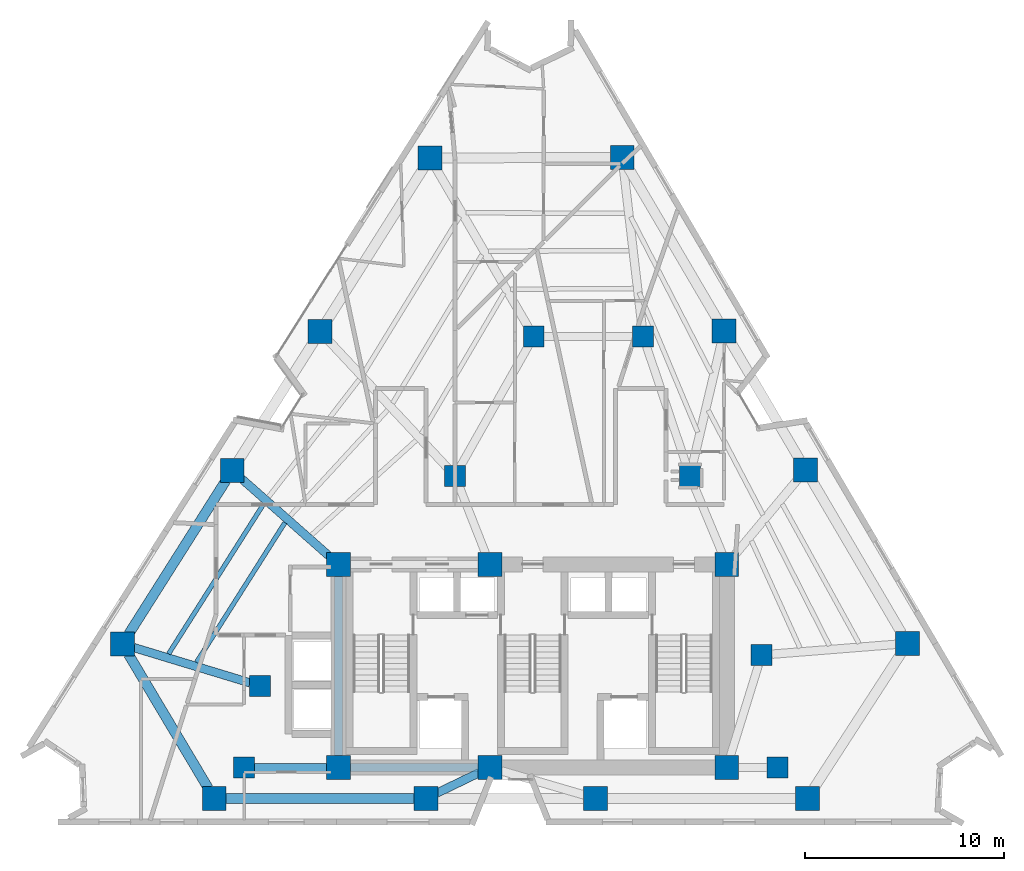
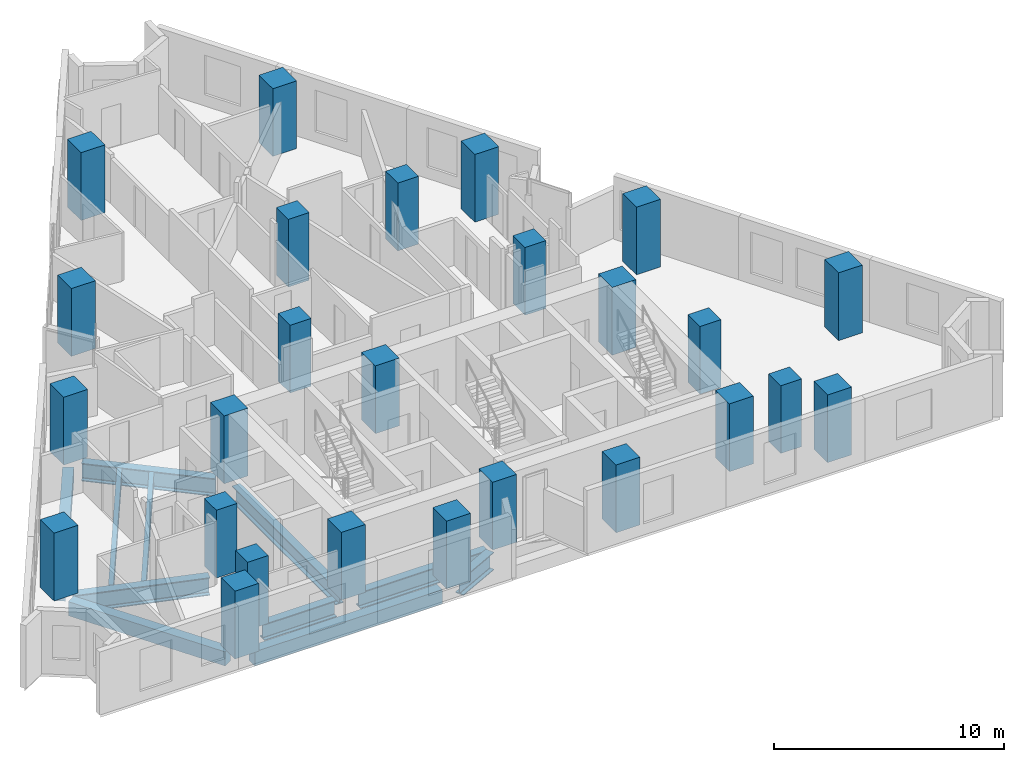
# One storey, part 1 of 12: 26 columns, 11 beams.
"""IFC4 building model written with IfcOpenShell, lengths in metres."""

import ifcopenshell
import ifcopenshell.guid

model = None  # the IFC model being written
_history = None  # IfcOwnerHistory: only IFC2X3 demands one
_inside = {}  # id of a spatial element -> (the spatial element, [elements in it])
_under = {}  # id of a project, library or spatial element -> (it, [spatial elements below it])
_declared = {}  # id of a project -> (the project, [libraries it declares])
_typed = {}  # id of a type object -> (the type object, [elements of that type])
_made_of = {}  # id of a material, layer set ... -> (it, [elements and type objects made of it])


def new_model(schema):
    """Start an empty IFC model of exactly this schema.

    Asked for "IFC4X3", IfcOpenShell would pick the latest addendum, in which some entities
    have other attributes; the version numbers below select the first issue.
    IFC2X3 requires an IfcOwnerHistory on every rooted entity: one is made here for all.
    """
    global model, _history
    if schema == "IFC4X3":
        model = ifcopenshell.file(schema_version=(4, 3, 0, 0))
    else:
        model = ifcopenshell.file(schema=schema)
    _inside.clear()
    _under.clear()
    _declared.clear()
    _typed.clear()
    _made_of.clear()
    _history = None
    if model.schema == "IFC2X3":
        org = make("IfcOrganization", Name="unknown")
        user = make(
            "IfcPersonAndOrganization",
            ThePerson=make("IfcPerson", FamilyName="unknown"),
            TheOrganization=org,
        )
        app = make(
            "IfcApplication",
            ApplicationDeveloper=org,
            Version="unknown",
            ApplicationFullName="unknown",
            ApplicationIdentifier="unknown",
        )
        _history = make(
            "IfcOwnerHistory",
            OwningUser=user,
            OwningApplication=app,
            ChangeAction="ADDED",
            CreationDate=0,
        )
    return model


def make(cls, **values):
    """One entity of the class cls with the attributes given. An attribute that is None is left unset."""
    return model.create_entity(
        cls, **{name: value for name, value in values.items() if value is not None}
    )


def rooted(cls, **values):
    """An entity with a GlobalId (a new one), such as an element, a storey or a relation."""
    return make(cls, GlobalId=ifcopenshell.guid.new(), OwnerHistory=_history, **values)


def si_unit(unit_type, name, prefix=None):
    """IfcSIUnit, for example si_unit("LENGTHUNIT", "METRE", prefix="MILLI")."""
    return make("IfcSIUnit", UnitType=unit_type, Prefix=prefix, Name=name)


def assignment(units):
    """IfcUnitAssignment: the units of a project."""
    return None if units is None else make("IfcUnitAssignment", Units=units)


def point(xyz):
    """IfcCartesianPoint."""
    return None if xyz is None else make("IfcCartesianPoint", Coordinates=xyz)


def direction(xyz):
    """IfcDirection."""
    return None if xyz is None else make("IfcDirection", DirectionRatios=xyz)


def frame(location, z_axis=None, x_axis=None):
    """IfcAxis2Placement3D, a coordinate frame: its origin and axes. An axis left out is left unset."""
    return make(
        "IfcAxis2Placement3D",
        Location=point(location),
        Axis=direction(z_axis),
        RefDirection=direction(x_axis),
    )


def frame_2d(location, x_axis=None):
    """IfcAxis2Placement2D, a coordinate frame in the plane: its origin and x axis."""
    return make(
        "IfcAxis2Placement2D", Location=point(location), RefDirection=direction(x_axis)
    )


def origin():
    """The frame at (0, 0, 0) with its axes left unset."""
    return frame((0.0, 0.0, 0.0))


def origin_2d():
    """The frame at (0, 0) in the plane with its x axis left unset."""
    return frame_2d((0.0, 0.0))


def place(relative_to, where):
    """IfcLocalPlacement: puts the frame where relative to a parent placement (None: the world)."""
    return make(
        "IfcLocalPlacement", PlacementRelTo=relative_to, RelativePlacement=where
    )


def context(
    kind, dimensions, precision=None, world=None, true_north=None, identifier=None
):
    """IfcGeometricRepresentationContext, for example the 3D "Model" context."""
    return make(
        "IfcGeometricRepresentationContext",
        ContextIdentifier=identifier,
        ContextType=kind,
        CoordinateSpaceDimension=dimensions,
        Precision=precision,
        WorldCoordinateSystem=world,
        TrueNorth=true_north,
    )


def subcontext(parent, identifier, kind, view, scale=None):
    """IfcGeometricRepresentationSubContext, for example "Body" below "Model"."""
    return make(
        "IfcGeometricRepresentationSubContext",
        ContextIdentifier=identifier,
        ContextType=kind,
        ParentContext=parent,
        TargetScale=scale,
        TargetView=view,
    )


def project(units=None, contexts=None):
    """IfcProject with its units and contexts."""
    return rooted(
        "IfcProject",
        Name="project",
        RepresentationContexts=contexts,
        UnitsInContext=assignment(units),
    )


def spatial(cls, under=None, at=None, **own):
    """A site, building, storey or space (cls), placed at a placement, below another one or the project."""
    s = rooted(cls, ObjectPlacement=at, **own)
    if under is not None:
        _under.setdefault(under.id(), (under, []))[1].append(s)
    return s


def profile(cls, at=None, kind="AREA", **sizes):
    """A parametric profile (cls). Its sizes go by their IFC names, for example OverallWidth=200.0."""
    return make(cls, ProfileType=kind, Position=at, **sizes)


def rectangle(**sizes):
    """IfcRectangleProfileDef."""
    return profile("IfcRectangleProfileDef", **sizes)


def i_section(**sizes):
    """IfcIShapeProfileDef."""
    return profile("IfcIShapeProfileDef", **sizes)


def extrude(swept, where, along, depth):
    """IfcExtrudedAreaSolid: the profile swept, set in the frame where, extruded along a direction by depth."""
    return make(
        "IfcExtrudedAreaSolid",
        SweptArea=swept,
        Position=where,
        ExtrudedDirection=direction(along),
        Depth=depth,
    )


def shape(context_of_items, identifier, shape_type, items):
    """IfcShapeRepresentation: the items that make up one representation, for example the "Body"."""
    return make(
        "IfcShapeRepresentation",
        ContextOfItems=context_of_items,
        RepresentationIdentifier=identifier,
        RepresentationType=shape_type,
        Items=items,
    )


def material(Name=None, Category=None):
    """IfcMaterial."""
    return make("IfcMaterial", Name=Name, Category=Category)


def material_profile(
    of_material, cross_section, Name=None, Category=None, Priority=None
):
    """IfcMaterialProfile: a cross section and its material."""
    return make(
        "IfcMaterialProfile",
        Name=Name,
        Material=of_material,
        Profile=cross_section,
        Priority=Priority,
        Category=Category,
    )


def profile_set(profiles, Name=None, composite=None):
    """IfcMaterialProfileSet."""
    return make(
        "IfcMaterialProfileSet",
        Name=Name,
        MaterialProfiles=profiles,
        CompositeProfile=composite,
    )


def made_of(thing, what):
    """Note that an element or type object is made of a material, layer set ...; save() writes the relation."""
    if what is not None:
        _made_of.setdefault(what.id(), (what, []))[1].append(thing)
    return thing


def type_object(cls, material=None, **own):
    """A type object (cls), such as IfcWallType, which elements share."""
    return made_of(rooted(cls, **own), material)


def element(
    cls,
    number,
    at=None,
    inside=None,
    cuts=None,
    type_object=None,
    material=None,
    context=None,
    identifier="Body",
    shape_type=None,
    held_by="IfcProductDefinitionShape",
    body=None,
    shapes=None,
    **own,
):
    """One element of the class cls, such as IfcWall. Its Tag is "e" and its number.

    at: its placement. inside: the storey or other place that contains it. cuts: it is an
    opening in that element (IfcRelVoidsElement). A single representation is given by context,
    identifier, shape_type and body (its items); several are given by shapes. held_by: the class
    of the entity that holds the representations. save() writes the other relations.
    """
    e = rooted(cls, Tag="e%d" % number, ObjectPlacement=at, **own)
    if body is not None:
        shapes = [shape(context, identifier, shape_type, body)]
    if shapes is not None:
        e.Representation = make(held_by, Representations=shapes)
    if inside is not None:
        _inside.setdefault(inside.id(), (inside, []))[1].append(e)
    if cuts is not None:
        rooted(
            "IfcRelVoidsElement", RelatingBuildingElement=cuts, RelatedOpeningElement=e
        )
    if type_object is not None:
        _typed.setdefault(type_object.id(), (type_object, []))[1].append(e)
    return made_of(e, material)


def aggregate(whole, parts):
    """IfcRelAggregates: a whole, such as a stair, and the parts it consists of."""
    return rooted("IfcRelAggregates", RelatingObject=whole, RelatedObjects=parts)


def save(model, path):
    """Write the relations noted so far, then the file.

    IfcRelAggregates (storeys below a building ...), IfcRelContainedInSpatialStructure (elements
    in a storey), IfcRelDefinesByType, IfcRelAssociatesMaterial and IfcRelDeclares: one each for
    every whole, place, type object, material and project.
    """
    for whole, parts in _under.values():
        aggregate(whole, parts)
    for where, things in _inside.values():
        rooted(
            "IfcRelContainedInSpatialStructure",
            RelatedElements=things,
            RelatingStructure=where,
        )
    for kind, things in _typed.values():
        rooted("IfcRelDefinesByType", RelatedObjects=things, RelatingType=kind)
    for what, things in _made_of.values():
        rooted("IfcRelAssociatesMaterial", RelatedObjects=things, RelatingMaterial=what)
    for by, libraries in _declared.values():
        rooted("IfcRelDeclares", RelatingContext=by, RelatedDefinitions=libraries)
    model.write(path)


model = new_model("IFC4")

# Units and contexts
model_context = context("Model", 3, precision=1e-05, world=origin(), true_north=direction((0.0, 1.0)))
body_context = subcontext(model_context, "Body", "Model", "MODEL_VIEW")
ifc_project = project(units=[si_unit("LENGTHUNIT", "METRE"), si_unit("AREAUNIT", "SQUARE_METRE"), si_unit("VOLUMEUNIT", "CUBIC_METRE"), si_unit("PLANEANGLEUNIT", "RADIAN"), si_unit("MASSUNIT", "GRAM", prefix="KILO")], contexts=[model_context])

# Site, building, storey
site_placement = place(None, origin())
site = spatial("IfcSite", under=ifc_project, at=site_placement, CompositionType="ELEMENT")
building_placement = place(site_placement, origin())
building = spatial("IfcBuilding", under=site, at=building_placement, Name="Almagre Mirador Tower", CompositionType="ELEMENT")
storey_placement = place(building_placement, frame((0.0, 0.0, 117.60009765625)))
storey = spatial("IfcBuildingStorey", under=building, at=storey_placement, Name="L29", CompositionType="ELEMENT", Elevation=117.60009765625)

# Columns
ifc_material_1 = material(Name="Concrete C60/75", Category="concrete")
ifc_material_profile_1 = material_profile(ifc_material_1, rectangle(XDim=1.050048828125, YDim=1.050048828125, at=origin_2d()), Name="RC1050X1050")
ifc_profile_set_1 = profile_set([ifc_material_profile_1], Name="Concrete C60/75")
column_type_1 = type_object("IfcColumnType", Name="COL-RC1050", PredefinedType="COLUMN", material=ifc_profile_set_1)
for number, where, z_axis, x_axis, name in (
    (1, (22.800048828125, 4.550048828125, 0.0), (0.0, 0.0, 1.0), (1.0, 0.0, 0.0), "L29 interior transfer column MC1"),
    (2, (49.60009765625, 4.550048828125, 0.0), (0.0, 0.0, 1.0), (1.0, 0.0, 0.0), "L29 interior transfer column MC2"),
    (3, (48.800048828125, 10.199951171875, 0.0), (0.0, 0.0, 1.0), (1.0, 0.0, 0.0), "L29 interior transfer column MC3"),
    (4, (45.199951171875, 19.199951171875, 0.0), (0.0, 0.0, 1.0), (1.0, 0.0, 0.0), "L29 interior transfer column MC5"),
    (5, (42.85009765625, 26.199951171875, 0.0), (0.0, 0.0, 1.0), (1.0, 0.0, 0.0), "L29 interior transfer column MC6"),
    (6, (37.35009765625, 26.199951171875, 0.0), (0.0, 0.0, 1.0), (1.0, 0.0, 0.0), "L29 interior transfer column MC7"),
    (7, (33.39990234375, 19.199951171875, 0.0), (0.0, 0.0, 1.0), (1.0, 0.0, 0.0), "L29 interior transfer column MC8"),
    (8, (23.60009765625, 8.64990234375, 0.0), (0.0, 0.0, 1.0), (1.0, 0.0, 0.0), "L29 interior transfer column MC10"),
):
    element("IfcColumn", number, at=place(storey_placement, frame(where, z_axis=z_axis, x_axis=x_axis)), inside=storey, type_object=column_type_1, Name=name, PredefinedType="COLUMN", context=body_context, shape_type="SweptSolid", body=[
        extrude(rectangle(XDim=1.050048828125, YDim=1.050048828125, at=origin_2d()), origin(), (0.0, 0.0, 1.0), 3.599853515625),
    ])
ifc_material_2 = material(Name="Concrete C60/75", Category="concrete")
ifc_material_profile_2 = material_profile(ifc_material_2, rectangle(XDim=1.199951171875, YDim=1.199951171875, at=origin_2d()), Name="RC1200X1200")
ifc_profile_set_2 = profile_set([ifc_material_profile_2], Name="Concrete C60/75")
column_type_2 = type_object("IfcColumnType", Name="COL-RC1200", PredefinedType="COLUMN", material=ifc_profile_set_2)
for number, where, z_axis, x_axis, name in (
    (9, (27.550048828125, 4.550048828125, 0.0), (0.0, 0.0, 1.0), (1.0, 0.0, 0.0), "L29 core spine column CC1"),
    (10, (35.14990234375, 4.550048828125, 0.0), (0.0, 0.0, 1.0), (1.0, 0.0, 0.0), "L29 core spine column CC2"),
    (11, (47.050048828125, 4.550048828125, 0.0), (0.0, 0.0, 1.0), (1.0, 0.0, 0.0), "L29 core spine column CC3"),
    (12, (27.550048828125, 14.75, 0.0), (0.0, 0.0, 1.0), (1.0, 0.0, 0.0), "L29 core spine column CC4"),
    (13, (35.14990234375, 14.75, 0.0), (0.0, 0.0, 1.0), (1.0, 0.0, 0.0), "L29 core spine column CC5"),
    (14, (47.050048828125, 14.75, 0.0), (0.0, 0.0, 1.0), (1.0, 0.0, 0.0), "L29 core spine column CC6"),
    (15, (21.303955078125, 3.0, 0.0), (0.0, 0.0, 1.0), (1.0, 0.0, 0.0), "L29 perimeter column PC01"),
    (16, (31.944091796875, 3.0, 0.0), (0.0, 0.0, 1.0), (1.0, 0.0, 0.0), "L29 perimeter column PC02"),
    (17, (40.4560546875, 3.0, 0.0), (0.0, 0.0, 1.0), (1.0, 0.0, 0.0), "L29 perimeter column PC03"),
    (18, (51.095947265625, 3.0, 0.0), (0.0, 0.0, 1.0), (1.0, 0.0, 0.0), "L29 perimeter column PC04"),
    (19, (56.133056640625, 10.783935546875, 0.0), (0.0, 0.0, 1.0), (1.0, 0.0, 0.0), "L29 perimeter column PC05"),
    (20, (51.012939453125, 19.50390625, 0.0), (0.0, 0.0, 1.0), (1.0, 0.0, 0.0), "L29 perimeter column PC06"),
    (21, (46.9169921875, 26.47998046875, 0.0), (0.0, 0.0, 1.0), (1.0, 0.0, 0.0), "L29 perimeter column PC07"),
    (22, (41.797119140625, 35.199951171875, 0.0), (0.0, 0.0, 1.0), (1.0, 0.0, 0.0), "L29 perimeter column PC08"),
    (23, (32.14208984375, 35.166015625, 0.0), (0.0, 0.0, 1.0), (1.0, 0.0, 0.0), "L29 perimeter column PC09"),
    (24, (26.6220703125, 26.446044921875, 0.0), (0.0, 0.0, 1.0), (1.0, 0.0, 0.0), "L29 perimeter column PC10"),
    (25, (22.2060546875, 19.469970703125, 0.0), (0.0, 0.0, 1.0), (1.0, 0.0, 0.0), "L29 perimeter column PC11"),
    (26, (16.68603515625, 10.75, 0.0), (0.0, 0.0, 1.0), (1.0, 0.0, 0.0), "L29 perimeter column PC12"),
):
    element("IfcColumn", number, at=place(storey_placement, frame(where, z_axis=z_axis, x_axis=x_axis)), inside=storey, type_object=column_type_2, Name=name, PredefinedType="COLUMN", context=body_context, shape_type="SweptSolid", body=[
        extrude(rectangle(XDim=1.199951171875, YDim=1.199951171875, at=origin_2d()), origin(), (0.0, 0.0, 1.0), 3.599853515625),
    ])

# Beams
ifc_material_3 = material(Name="Steel ASTM A992 Grade 50", Category="steel")
ifc_material_profile_3 = material_profile(ifc_material_3, i_section(OverallWidth=0.22802734375, OverallDepth=0.60791015625, WebThickness=0.01123046875, FlangeThickness=0.017333984375, FilletRadius=0.02001953125, at=origin_2d()), Name="W24X76")
ifc_profile_set_3 = profile_set([ifc_material_profile_3], Name="Steel ASTM A992 Grade 50")
beam_type_1 = type_object("IfcBeamType", Name="BM-JST-W24X76", PredefinedType="JOIST", material=ifc_profile_set_3)
beam_1_placement = place(storey_placement, frame((23.786865234375, 17.794921875, -0.55419921875), z_axis=(-0.535495866199, -0.844537848343, 0.0), x_axis=(0.844537848343, -0.535495866199, 0.0)))
element("IfcBeam", 27, at=beam_1_placement, inside=storey, type_object=beam_type_1, Name="L29 secondary floor joist PC11-PC12.1", PredefinedType="JOIST", context=body_context, shape_type="SweptSolid", body=[
    extrude(i_section(OverallWidth=0.22802734375, OverallDepth=0.60791015625, WebThickness=0.01123046875, FlangeThickness=0.017333984375, FilletRadius=0.02001953125, at=origin_2d()), origin(), (0.0, 0.0, 1.0), 8.924560546875),
])
beam_2_placement = place(storey_placement, frame((24.853759765625, 16.852783203125, -0.55419921875), z_axis=(-0.534944431022, -0.844887244382, 0.0), x_axis=(0.844887244382, -0.534944431022, 0.0)))
element("IfcBeam", 28, at=beam_2_placement, inside=storey, type_object=beam_type_1, Name="L29 secondary floor joist PC11-PC12.2", PredefinedType="JOIST", context=body_context, shape_type="SweptSolid", body=[
    extrude(i_section(OverallWidth=0.22802734375, OverallDepth=0.60791015625, WebThickness=0.01123046875, FlangeThickness=0.017333984375, FilletRadius=0.02001953125, at=origin_2d()), origin(), (0.0, 0.0, 1.0), 8.309326171875),
])
ifc_material_4 = material(Name="Precast concrete C50/60", Category="concrete")
ifc_material_profile_4 = material_profile(ifc_material_4, rectangle(XDim=0.5, YDim=0.75, at=origin_2d()), Name="RC500X750")
ifc_profile_set_4 = profile_set([ifc_material_profile_4], Name="Precast concrete C50/60")
beam_type_2 = type_object("IfcBeamType", Name="BM-SPN-RC500X750", PredefinedType="SPANDREL", material=ifc_profile_set_4)
beam_3_placement = place(storey_placement, frame((21.904052734375, 3.0, -0.625), z_axis=(1.0, 0.0, 0.0), x_axis=(0.0, 1.0, 0.0)))
element("IfcBeam", 29, at=beam_3_placement, inside=storey, type_object=beam_type_2, Name="L29 perimeter spandrel beam PC01-PC02", PredefinedType="SPANDREL", context=body_context, shape_type="SweptSolid", body=[
    extrude(rectangle(XDim=0.5, YDim=0.75, at=origin_2d()), origin(), (0.0, 0.0, 1.0), 9.43994140625),
])
beam_4_placement = place(storey_placement, frame((21.885009765625, 18.962890625, -0.625), z_axis=(-0.534882027559, -0.844926752207, 0.0), x_axis=(0.844926752207, -0.534882027559, 0.0)))
element("IfcBeam", 30, at=beam_4_placement, inside=storey, type_object=beam_type_2, Name="L29 perimeter spandrel beam PC11-PC12", PredefinedType="SPANDREL", context=body_context, shape_type="SweptSolid", body=[
    extrude(rectangle(XDim=0.5, YDim=0.75, at=origin_2d()), origin(), (0.0, 0.0, 1.0), 9.1201171875),
])
beam_5_placement = place(storey_placement, frame((16.9931640625, 10.234619140625, -0.625), z_axis=(0.511872325073, -0.85906153611, 0.0), x_axis=(0.85906153611, 0.511872325073, 0.0)))
element("IfcBeam", 31, at=beam_5_placement, inside=storey, type_object=beam_type_2, Name="L29 perimeter spandrel beam PC12-PC01", PredefinedType="SPANDREL", context=body_context, shape_type="SweptSolid", body=[
    extrude(rectangle(XDim=0.5, YDim=0.75, at=origin_2d()), origin(), (0.0, 0.0, 1.0), 7.821533203125),
])
ifc_material_5 = material(Name="Steel ASTM A992 Grade 50", Category="steel")
ifc_material_profile_5 = material_profile(ifc_material_5, i_section(OverallWidth=0.404052734375, OverallDepth=0.884033203125, WebThickness=0.0244140625, FlangeThickness=0.0439453125, FilletRadius=0.02490234375, at=origin_2d()), Name="W33X291")
ifc_profile_set_5 = profile_set([ifc_material_profile_5], Name="Steel ASTM A992 Grade 50")
beam_type_3 = type_object("IfcBeamType", Name="BM-STL-W33X291", PredefinedType="BEAM", material=ifc_profile_set_5)
beam_6_placement = place(storey_placement, frame((28.14990234375, 4.550048828125, -0.692138671875), z_axis=(1.0, 0.0, 0.0), x_axis=(0.0, 1.0, 0.0)))
element("IfcBeam", 32, at=beam_6_placement, inside=storey, type_object=beam_type_3, Name="L29 core tie girder CC1-CC2", PredefinedType="BEAM", context=body_context, shape_type="SweptSolid", body=[
    extrude(i_section(OverallWidth=0.404052734375, OverallDepth=0.884033203125, WebThickness=0.0244140625, FlangeThickness=0.0439453125, FilletRadius=0.02490234375, at=origin_2d()), origin(), (0.0, 0.0, 1.0), 6.400146484375),
])
beam_7_placement = place(storey_placement, frame((27.550048828125, 5.14990234375, -0.692138671875), z_axis=(0.0, 1.0, 0.0), x_axis=(-1.0, 0.0, 0.0)))
element("IfcBeam", 33, at=beam_7_placement, inside=storey, type_object=beam_type_3, Name="L29 core tie girder CC1-CC4", PredefinedType="BEAM", context=body_context, shape_type="SweptSolid", body=[
    extrude(i_section(OverallWidth=0.404052734375, OverallDepth=0.884033203125, WebThickness=0.0244140625, FlangeThickness=0.0439453125, FilletRadius=0.02490234375, at=origin_2d()), origin(), (0.0, 0.0, 1.0), 9.0),
])
beam_8_placement = place(storey_placement, frame((23.324951171875, 4.550048828125, -0.692138671875), z_axis=(1.0, 0.0, 0.0), x_axis=(0.0, 1.0, 0.0)))
element("IfcBeam", 34, at=beam_8_placement, inside=storey, type_object=beam_type_3, Name="L29 core tie girder MC1-CC1", PredefinedType="BEAM", context=body_context, shape_type="SweptSolid", body=[
    extrude(i_section(OverallWidth=0.404052734375, OverallDepth=0.884033203125, WebThickness=0.0244140625, FlangeThickness=0.0439453125, FilletRadius=0.02490234375, at=origin_2d()), origin(), (0.0, 0.0, 1.0), 3.625),
])
ifc_material_6 = material(Name="Steel ASTM A992 Grade 50", Category="steel")
ifc_material_profile_6 = material_profile(ifc_material_6, i_section(OverallWidth=0.423095703125, OverallDepth=0.947998046875, WebThickness=0.02392578125, FlangeThickness=0.042724609375, FilletRadius=0.028076171875, at=origin_2d()), Name="W36X302")
ifc_profile_set_6 = profile_set([ifc_material_profile_6], Name="Steel ASTM A992 Grade 50")
beam_type_4 = type_object("IfcBeamType", Name="BM-STL-W36X302", PredefinedType="BEAM", material=ifc_profile_set_6)
beam_9_placement = place(storey_placement, frame((32.484130859375, 3.26123046875, -0.72412109375), z_axis=(0.900323968092, 0.435220349339, 0.0), x_axis=(-0.435220349339, 0.900323968092, 0.0)))
element("IfcBeam", 35, at=beam_9_placement, inside=storey, type_object=beam_type_4, Name="L29 radial floor girder PC02-CC2", PredefinedType="BEAM", context=body_context, shape_type="SweptSolid", body=[
    extrude(i_section(OverallWidth=0.423095703125, OverallDepth=0.947998046875, WebThickness=0.02392578125, FlangeThickness=0.042724609375, FilletRadius=0.028076171875, at=origin_2d()), origin(), (0.0, 0.0, 1.0), 2.361083984375),
])
beam_10_placement = place(storey_placement, frame((22.65576171875, 19.07275390625, -0.72412109375), z_axis=(0.749515768673, -0.661986489673, 0.0), x_axis=(0.661986489673, 0.749515768673, 0.0)))
element("IfcBeam", 36, at=beam_10_placement, inside=storey, type_object=beam_type_4, Name="L29 radial floor girder PC11-CC4", PredefinedType="BEAM", context=body_context, shape_type="SweptSolid", body=[
    extrude(i_section(OverallWidth=0.423095703125, OverallDepth=0.947998046875, WebThickness=0.02392578125, FlangeThickness=0.042724609375, FilletRadius=0.028076171875, at=origin_2d()), origin(), (0.0, 0.0, 1.0), 5.929931640625),
])
beam_11_placement = place(storey_placement, frame((17.260009765625, 10.57568359375, -0.72412109375), z_axis=(0.95683269583, -0.290639281913, 0.0), x_axis=(0.290639281913, 0.95683269583, 0.0)))
element("IfcBeam", 37, at=beam_11_placement, inside=storey, type_object=beam_type_4, Name="L29 radial floor girder PC12-MC10", PredefinedType="BEAM", context=body_context, shape_type="SweptSolid", body=[
    extrude(i_section(OverallWidth=0.423095703125, OverallDepth=0.947998046875, WebThickness=0.02392578125, FlangeThickness=0.042724609375, FilletRadius=0.028076171875, at=origin_2d()), origin(), (0.0, 0.0, 1.0), 6.10107421875),
])

save(model, "model.ifc")
